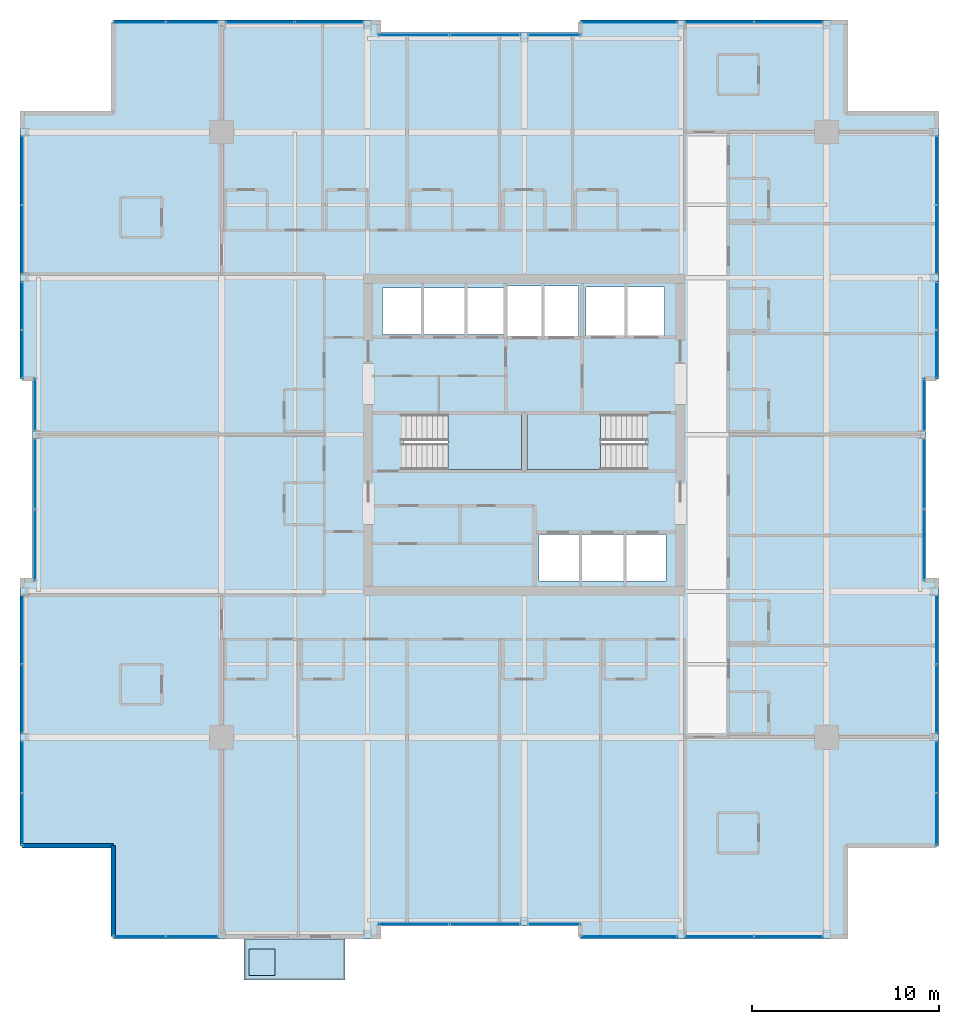
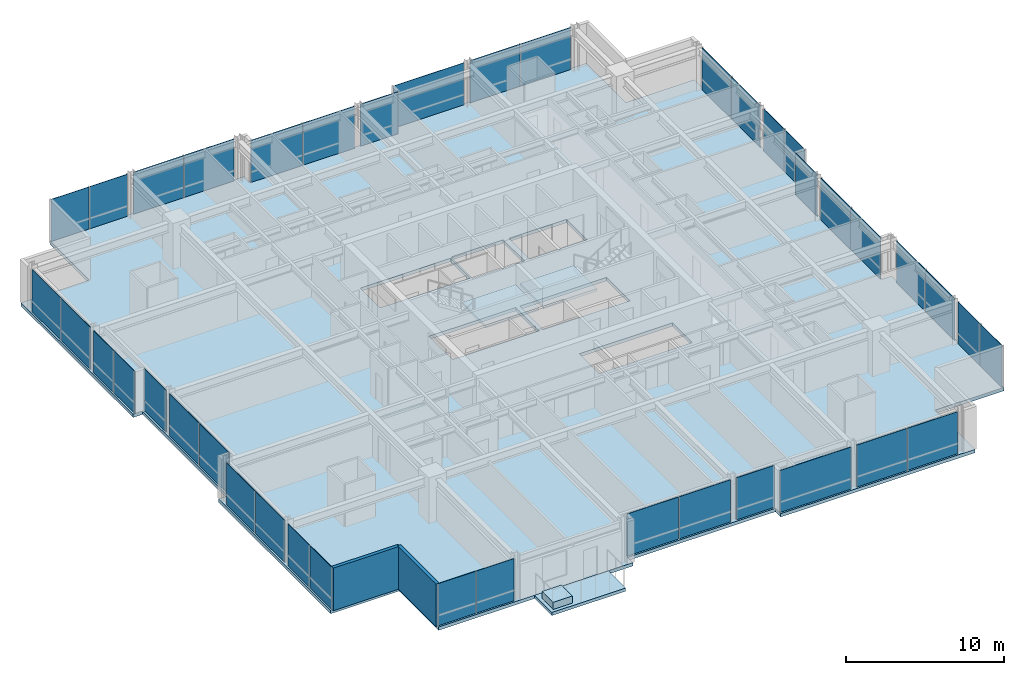
# One storey, part 25 of 32: 40 plates, 5 slabs, 2 walls, 25 elements without a shape of their own.
"""IFC4 building model written with IfcOpenShell, lengths in metres."""

import ifcopenshell
import ifcopenshell.guid

model = None  # the IFC model being written
_history = None  # IfcOwnerHistory: only IFC2X3 demands one
_inside = {}  # id of a spatial element -> (the spatial element, [elements in it])
_under = {}  # id of a project, library or spatial element -> (it, [spatial elements below it])
_declared = {}  # id of a project -> (the project, [libraries it declares])
_typed = {}  # id of a type object -> (the type object, [elements of that type])
_made_of = {}  # id of a material, layer set ... -> (it, [elements and type objects made of it])


def new_model(schema):
    """Start an empty IFC model of exactly this schema.

    Asked for "IFC4X3", IfcOpenShell would pick the latest addendum, in which some entities
    have other attributes; the version numbers below select the first issue.
    IFC2X3 requires an IfcOwnerHistory on every rooted entity: one is made here for all.
    """
    global model, _history
    if schema == "IFC4X3":
        model = ifcopenshell.file(schema_version=(4, 3, 0, 0))
    else:
        model = ifcopenshell.file(schema=schema)
    _inside.clear()
    _under.clear()
    _declared.clear()
    _typed.clear()
    _made_of.clear()
    _history = None
    if model.schema == "IFC2X3":
        org = make("IfcOrganization", Name="unknown")
        user = make(
            "IfcPersonAndOrganization",
            ThePerson=make("IfcPerson", FamilyName="unknown"),
            TheOrganization=org,
        )
        app = make(
            "IfcApplication",
            ApplicationDeveloper=org,
            Version="unknown",
            ApplicationFullName="unknown",
            ApplicationIdentifier="unknown",
        )
        _history = make(
            "IfcOwnerHistory",
            OwningUser=user,
            OwningApplication=app,
            ChangeAction="ADDED",
            CreationDate=0,
        )
    return model


def make(cls, **values):
    """One entity of the class cls with the attributes given. An attribute that is None is left unset."""
    return model.create_entity(
        cls, **{name: value for name, value in values.items() if value is not None}
    )


def rooted(cls, **values):
    """An entity with a GlobalId (a new one), such as an element, a storey or a relation."""
    return make(cls, GlobalId=ifcopenshell.guid.new(), OwnerHistory=_history, **values)


def si_unit(unit_type, name, prefix=None):
    """IfcSIUnit, for example si_unit("LENGTHUNIT", "METRE", prefix="MILLI")."""
    return make("IfcSIUnit", UnitType=unit_type, Prefix=prefix, Name=name)


def assignment(units):
    """IfcUnitAssignment: the units of a project."""
    return None if units is None else make("IfcUnitAssignment", Units=units)


def point(xyz):
    """IfcCartesianPoint."""
    return None if xyz is None else make("IfcCartesianPoint", Coordinates=xyz)


def direction(xyz):
    """IfcDirection."""
    return None if xyz is None else make("IfcDirection", DirectionRatios=xyz)


def frame(location, z_axis=None, x_axis=None):
    """IfcAxis2Placement3D, a coordinate frame: its origin and axes. An axis left out is left unset."""
    return make(
        "IfcAxis2Placement3D",
        Location=point(location),
        Axis=direction(z_axis),
        RefDirection=direction(x_axis),
    )


def frame_2d(location, x_axis=None):
    """IfcAxis2Placement2D, a coordinate frame in the plane: its origin and x axis."""
    return make(
        "IfcAxis2Placement2D", Location=point(location), RefDirection=direction(x_axis)
    )


def origin():
    """The frame at (0, 0, 0) with its axes left unset."""
    return frame((0.0, 0.0, 0.0))


def origin_2d():
    """The frame at (0, 0) in the plane with its x axis left unset."""
    return frame_2d((0.0, 0.0))


def place(relative_to, where):
    """IfcLocalPlacement: puts the frame where relative to a parent placement (None: the world)."""
    return make(
        "IfcLocalPlacement", PlacementRelTo=relative_to, RelativePlacement=where
    )


def context(
    kind, dimensions, precision=None, world=None, true_north=None, identifier=None
):
    """IfcGeometricRepresentationContext, for example the 3D "Model" context."""
    return make(
        "IfcGeometricRepresentationContext",
        ContextIdentifier=identifier,
        ContextType=kind,
        CoordinateSpaceDimension=dimensions,
        Precision=precision,
        WorldCoordinateSystem=world,
        TrueNorth=true_north,
    )


def subcontext(parent, identifier, kind, view, scale=None):
    """IfcGeometricRepresentationSubContext, for example "Body" below "Model"."""
    return make(
        "IfcGeometricRepresentationSubContext",
        ContextIdentifier=identifier,
        ContextType=kind,
        ParentContext=parent,
        TargetScale=scale,
        TargetView=view,
    )


def project(units=None, contexts=None):
    """IfcProject with its units and contexts."""
    return rooted(
        "IfcProject",
        Name="project",
        RepresentationContexts=contexts,
        UnitsInContext=assignment(units),
    )


def spatial(cls, under=None, at=None, **own):
    """A site, building, storey or space (cls), placed at a placement, below another one or the project."""
    s = rooted(cls, ObjectPlacement=at, **own)
    if under is not None:
        _under.setdefault(under.id(), (under, []))[1].append(s)
    return s


def polyline(points):
    """IfcPolyline through the points."""
    return make("IfcPolyline", Points=[point(p) for p in points])


def profile(cls, at=None, kind="AREA", **sizes):
    """A parametric profile (cls). Its sizes go by their IFC names, for example OverallWidth=200.0."""
    return make(cls, ProfileType=kind, Position=at, **sizes)


def rectangle(**sizes):
    """IfcRectangleProfileDef."""
    return profile("IfcRectangleProfileDef", **sizes)


def outline(outer, holes=None, kind="AREA"):
    """IfcArbitraryClosedProfileDef: a profile drawn as a closed curve; with holes, ...WithVoids."""
    if holes is None:
        return make("IfcArbitraryClosedProfileDef", ProfileType=kind, OuterCurve=outer)
    return make(
        "IfcArbitraryProfileDefWithVoids",
        ProfileType=kind,
        OuterCurve=outer,
        InnerCurves=holes,
    )


def extrude(swept, where, along, depth):
    """IfcExtrudedAreaSolid: the profile swept, set in the frame where, extruded along a direction by depth."""
    return make(
        "IfcExtrudedAreaSolid",
        SweptArea=swept,
        Position=where,
        ExtrudedDirection=direction(along),
        Depth=depth,
    )


def shape(context_of_items, identifier, shape_type, items):
    """IfcShapeRepresentation: the items that make up one representation, for example the "Body"."""
    return make(
        "IfcShapeRepresentation",
        ContextOfItems=context_of_items,
        RepresentationIdentifier=identifier,
        RepresentationType=shape_type,
        Items=items,
    )


def material(Name=None, Category=None):
    """IfcMaterial."""
    return make("IfcMaterial", Name=Name, Category=Category)


def layer(
    of_material, thickness, ventilated=None, Name=None, Category=None, Priority=None
):
    """IfcMaterialLayer: one layer of a wall or slab, of a material (None: an air gap)."""
    return make(
        "IfcMaterialLayer",
        Material=of_material,
        LayerThickness=thickness,
        IsVentilated=ventilated,
        Name=Name,
        Category=Category,
        Priority=Priority,
    )


def layer_set(layers, Name=None):
    """IfcMaterialLayerSet."""
    return make("IfcMaterialLayerSet", MaterialLayers=layers, LayerSetName=Name)


def made_of(thing, what):
    """Note that an element or type object is made of a material, layer set ...; save() writes the relation."""
    if what is not None:
        _made_of.setdefault(what.id(), (what, []))[1].append(thing)
    return thing


def type_object(cls, material=None, **own):
    """A type object (cls), such as IfcWallType, which elements share."""
    return made_of(rooted(cls, **own), material)


def element(
    cls,
    number,
    at=None,
    inside=None,
    cuts=None,
    type_object=None,
    material=None,
    context=None,
    identifier="Body",
    shape_type=None,
    held_by="IfcProductDefinitionShape",
    body=None,
    shapes=None,
    **own,
):
    """One element of the class cls, such as IfcWall. Its Tag is "e" and its number.

    at: its placement. inside: the storey or other place that contains it. cuts: it is an
    opening in that element (IfcRelVoidsElement). A single representation is given by context,
    identifier, shape_type and body (its items); several are given by shapes. held_by: the class
    of the entity that holds the representations. save() writes the other relations.
    """
    e = rooted(cls, Tag="e%d" % number, ObjectPlacement=at, **own)
    if body is not None:
        shapes = [shape(context, identifier, shape_type, body)]
    if shapes is not None:
        e.Representation = make(held_by, Representations=shapes)
    if inside is not None:
        _inside.setdefault(inside.id(), (inside, []))[1].append(e)
    if cuts is not None:
        rooted(
            "IfcRelVoidsElement", RelatingBuildingElement=cuts, RelatedOpeningElement=e
        )
    if type_object is not None:
        _typed.setdefault(type_object.id(), (type_object, []))[1].append(e)
    return made_of(e, material)


def aggregate(whole, parts):
    """IfcRelAggregates: a whole, such as a stair, and the parts it consists of."""
    return rooted("IfcRelAggregates", RelatingObject=whole, RelatedObjects=parts)


def save(model, path):
    """Write the relations noted so far, then the file.

    IfcRelAggregates (storeys below a building ...), IfcRelContainedInSpatialStructure (elements
    in a storey), IfcRelDefinesByType, IfcRelAssociatesMaterial and IfcRelDeclares: one each for
    every whole, place, type object, material and project.
    """
    for whole, parts in _under.values():
        aggregate(whole, parts)
    for where, things in _inside.values():
        rooted(
            "IfcRelContainedInSpatialStructure",
            RelatedElements=things,
            RelatingStructure=where,
        )
    for kind, things in _typed.values():
        rooted("IfcRelDefinesByType", RelatedObjects=things, RelatingType=kind)
    for what, things in _made_of.values():
        rooted("IfcRelAssociatesMaterial", RelatedObjects=things, RelatingMaterial=what)
    for by, libraries in _declared.values():
        rooted("IfcRelDeclares", RelatingContext=by, RelatedDefinitions=libraries)
    model.write(path)


model = new_model("IFC4")

# Units and contexts
model_context = context("Model", 3, precision=1e-05, world=origin(), true_north=direction((0.0, 1.0)))
body_context = subcontext(model_context, "Body", "Model", "MODEL_VIEW")
ifc_project = project(units=[si_unit("LENGTHUNIT", "METRE"), si_unit("AREAUNIT", "SQUARE_METRE"), si_unit("VOLUMEUNIT", "CUBIC_METRE"), si_unit("PLANEANGLEUNIT", "RADIAN"), si_unit("MASSUNIT", "GRAM", prefix="KILO")], contexts=[model_context])

# Site, building, storey
site_placement = place(None, origin())
site = spatial("IfcSite", under=ifc_project, at=site_placement, CompositionType="ELEMENT")
building_placement = place(site_placement, origin())
building = spatial("IfcBuilding", under=site, at=building_placement, Name="Drelvath Grand Hotel", CompositionType="ELEMENT")
storey_placement = place(building_placement, frame((0.0, 0.0, 157.5)))
storey = spatial("IfcBuildingStorey", under=building, at=storey_placement, Name="L40", CompositionType="ELEMENT", Elevation=157.5)

# Slabs
ifc_material_1 = material(Name="Concrete f'c 40 MPa", Category="concrete")
ifc_layer_1 = layer(ifc_material_1, 0.239990234375)
ifc_layer_set_1 = layer_set([ifc_layer_1], Name="Concrete f'c 40 MPa")
slab_type_1 = type_object("IfcSlabType", Name="Cantilevered Tree Balcony Slab 240", PredefinedType="FLOOR", material=ifc_layer_set_1)
slab_1_placement = place(storey_placement, frame((0.0, 0.0, -0.239990234375)))
element("IfcSlab", 1, at=slab_1_placement, inside=storey, type_object=slab_type_1, Name="L40 Cantilevered Tree Balcony Slab 1", PredefinedType="FLOOR", context=body_context, shape_type="SweptSolid", body=[
    extrude(outline(polyline([(-15.0, -2.199951171875), (-9.60009765625, -2.199951171875), (-9.60009765625, 0.0), (-15.0, 0.0), (-15.0, -2.199951171875)])), origin(), (0.0, 0.0, 1.0), 0.239990234375),
])
ifc_layer_2 = layer(ifc_material_1, 0.260009765625)
ifc_layer_set_2 = layer_set([ifc_layer_2], Name="Concrete f'c 40 MPa")
slab_type_2 = type_object("IfcSlabType", Name="Composite RC Floor Slab 260", PredefinedType="FLOOR", material=ifc_layer_set_2)
slab_2_placement = place(storey_placement, frame((0.0, 0.0, -0.260009765625)))
element("IfcSlab", 2, at=slab_2_placement, inside=storey, type_object=slab_type_2, Name="L40 Structural Floor Slab", PredefinedType="FLOOR", context=body_context, shape_type="SweptSolid", body=[
    extrude(outline(polyline([(-22.0, 0.0), (-7.800048828125, 0.0), (-7.800048828125, 0.679931640625), (3.0, 0.679931640625), (3.0, 0.0), (17.199951171875, 0.0), (17.199951171875, 5.0), (22.199951171875, 5.0), (22.199951171875, 19.199951171875), (21.52001953125, 19.199951171875), (21.52001953125, 30.0), (22.199951171875, 30.0), (22.199951171875, 44.199951171875), (17.199951171875, 44.199951171875), (17.199951171875, 49.199951171875), (3.0, 49.199951171875), (3.0, 48.52001953125), (-7.800048828125, 48.52001953125), (-7.800048828125, 49.199951171875), (-22.0, 49.199951171875), (-22.0, 44.199951171875), (-27.0, 44.199951171875), (-27.0, 30.0), (-26.320068359375, 30.0), (-26.320068359375, 19.199951171875), (-27.0, 19.199951171875), (-27.0, 5.0), (-22.0, 5.0), (-22.0, 0.0)]), holes=[polyline([(-6.47998046875, 25.1201171875), (-6.47998046875, 28.080078125), (-0.14990234375, 28.080078125), (-0.14990234375, 25.1201171875), (-6.47998046875, 25.1201171875)]), polyline([(0.14990234375, 25.1201171875), (0.14990234375, 28.080078125), (6.47998046875, 28.080078125), (6.47998046875, 25.1201171875), (0.14990234375, 25.1201171875)]), polyline([(0.800048828125, 19.14990234375), (0.800048828125, 21.64990234375), (7.60009765625, 21.64990234375), (7.60009765625, 19.14990234375), (0.800048828125, 19.14990234375)]), polyline([(-7.60009765625, 32.35009765625), (-7.60009765625, 34.85009765625), (-1.02001953125, 34.85009765625), (-1.02001953125, 32.35009765625), (-7.60009765625, 32.35009765625)]), polyline([(-0.89990234375, 32.25), (-0.89990234375, 34.949951171875), (2.89990234375, 34.949951171875), (2.89990234375, 32.25), (-0.89990234375, 32.25)]), polyline([(3.300048828125, 32.300048828125), (3.300048828125, 34.89990234375), (7.5, 34.89990234375), (7.5, 32.300048828125), (3.300048828125, 32.300048828125)])]), origin(), (0.0, 0.0, 1.0), 0.260009765625),
])

# Stair, slab
ifc_material_2 = material(Name="Concrete C40/50", Category="concrete")
stair_type = type_object("IfcStairType", Name="Dogleg Exit Stair W1400-R177.5", PredefinedType="HALF_TURN_STAIR", material=ifc_material_2)
stair_1_placement = place(storey_placement, origin())
stair_1 = element("IfcStair", 3, at=stair_1_placement, inside=storey, type_object=stair_type, Name="L40 Core Exit Stair ST-1", PredefinedType="HALF_TURN_STAIR")
ifc_layer_3 = layer(ifc_material_2, 0.199951171875)
ifc_layer_set_3 = layer_set([ifc_layer_3], Name="Concrete C40/50")
slab_type_3 = type_object("IfcSlabType", Name="Concrete Stair Landing Slab 200", PredefinedType="LANDING", material=ifc_layer_set_3)
slab_3_placement = place(storey_placement, frame((0.0, 0.0, 1.574951171875)))
slab_3 = element("IfcSlab", 4, at=slab_3_placement, type_object=slab_type_3, Name="ST-1 landing 1", PredefinedType="LANDING", context=body_context, shape_type="SweptSolid", body=[
    extrude(outline(polyline([(-4.080078125, 25.1201171875), (-0.14990234375, 25.1201171875), (-0.14990234375, 28.080078125), (-4.080078125, 28.080078125), (-4.080078125, 25.1201171875)])), origin(), (0.0, 0.0, 1.0), 0.199951171875),
])
aggregate(stair_1, [slab_3])

stair_2_placement = place(storey_placement, origin())
stair_2 = element("IfcStair", 5, at=stair_2_placement, inside=storey, type_object=stair_type, Name="L40 Core Exit Stair ST-2", PredefinedType="HALF_TURN_STAIR")
slab_4_placement = place(storey_placement, frame((0.0, 0.0, 1.574951171875)))
slab_4 = element("IfcSlab", 6, at=slab_4_placement, type_object=slab_type_3, Name="ST-2 landing 1", PredefinedType="LANDING", context=body_context, shape_type="SweptSolid", body=[
    extrude(outline(polyline([(4.080078125, 28.080078125), (0.14990234375, 28.080078125), (0.14990234375, 25.1201171875), (4.080078125, 25.1201171875), (4.080078125, 28.080078125)])), origin(), (0.0, 0.0, 1.0), 0.199951171875),
])
aggregate(stair_2, [slab_4])

# Curtain wall, plates
ifc_material_3 = material(Name="Brushed Pale-Silver Anodised Aluminium Frame", Category="aluminium")
ifc_layer_4 = layer(ifc_material_3, 0.199951171875)
ifc_layer_set_4 = layer_set([ifc_layer_4], Name="Brushed Pale-Silver Anodised Aluminium Frame")
curtain_wall_type = type_object("IfcCurtainWallType", Name="Stick Curtain Wall CW-04 Brushed Silver Upper-Mid", PredefinedType="NOTDEFINED", material=ifc_layer_set_4)
curtain_wall_1_placement = place(storey_placement, origin())
curtain_wall_1 = element("IfcCurtainWall", 7, at=curtain_wall_1_placement, inside=storey, type_object=curtain_wall_type, Name="L40 CW-04 Curtain Wall CW04-L40-WS1", PredefinedType="NOTDEFINED")
ifc_material_4 = material(Name="Low-E Triple Silver Vision Glass Cool", Category="glass")
ifc_layer_5 = layer(ifc_material_4, 0.035888671875)
ifc_layer_set_5 = layer_set([ifc_layer_5], Name="Low-E Triple Silver Vision Glass Cool")
plate_type = type_object("IfcPlateType", Name="Curtain Wall Vision Panel CW-04 36mm", PredefinedType="CURTAIN_PANEL", material=ifc_layer_set_5)
plate_1_placement = place(storey_placement, frame((-26.8798828125, 6.39990234375, 0.02001953125), z_axis=(0.0, 0.0, 1.0), x_axis=(0.0, 1.0, 0.0)))
plate_1 = element("IfcPlate", 8, at=plate_1_placement, type_object=plate_type, Name="CW04-L40-WS1 Glazed Panel 1", PredefinedType="CURTAIN_PANEL", context=body_context, shape_type="SweptSolid", body=[
    extrude(rectangle(XDim=2.760009765625, YDim=0.035888671875, at=origin_2d()), origin(), (0.0, 0.0, 1.0), 3.25),
])
plate_2_placement = place(storey_placement, frame((-26.8798828125, 9.199951171875, 0.02001953125), z_axis=(0.0, 0.0, 1.0), x_axis=(0.0, 1.0, 0.0)))
plate_2 = element("IfcPlate", 9, at=plate_2_placement, type_object=plate_type, Name="CW04-L40-WS1 Glazed Panel 2", PredefinedType="CURTAIN_PANEL", context=body_context, shape_type="SweptSolid", body=[
    extrude(rectangle(XDim=2.760009765625, YDim=0.035888671875, at=origin_2d()), origin(), (0.0, 0.0, 1.0), 3.25),
])
aggregate(curtain_wall_1, [plate_1, plate_2])

curtain_wall_2_placement = place(storey_placement, origin())
curtain_wall_2 = element("IfcCurtainWall", 10, at=curtain_wall_2_placement, inside=storey, type_object=curtain_wall_type, Name="L40 CW-04 Curtain Wall CW04-L40-WS2", PredefinedType="NOTDEFINED")
plate_3_placement = place(storey_placement, frame((-26.8798828125, 12.85009765625, 0.02001953125), z_axis=(0.0, 0.0, 1.0), x_axis=(0.0, 1.0, 0.0)))
plate_3 = element("IfcPlate", 11, at=plate_3_placement, type_object=plate_type, Name="CW04-L40-WS2 Glazed Panel 1", PredefinedType="CURTAIN_PANEL", context=body_context, shape_type="SweptSolid", body=[
    extrude(rectangle(XDim=3.659912109375, YDim=0.035888671875, at=origin_2d()), origin(), (0.0, 0.0, 1.0), 3.25),
])
plate_4_placement = place(storey_placement, frame((-26.8798828125, 16.550048828125, 0.02001953125), z_axis=(0.0, 0.0, 1.0), x_axis=(0.0, 1.0, 0.0)))
plate_4 = element("IfcPlate", 12, at=plate_4_placement, type_object=plate_type, Name="CW04-L40-WS2 Glazed Panel 2", PredefinedType="CURTAIN_PANEL", context=body_context, shape_type="SweptSolid", body=[
    extrude(rectangle(XDim=3.659912109375, YDim=0.035888671875, at=origin_2d()), origin(), (0.0, 0.0, 1.0), 3.25),
])
aggregate(curtain_wall_2, [plate_3, plate_4])

curtain_wall_3_placement = place(storey_placement, origin())
curtain_wall_3 = element("IfcCurtainWall", 13, at=curtain_wall_3_placement, inside=storey, type_object=curtain_wall_type, Name="L40 CW-04 Curtain Wall CW04-L40-WM1", PredefinedType="NOTDEFINED")
plate_5_placement = place(storey_placement, frame((-26.199951171875, 21.099853515625, 0.02001953125), z_axis=(0.0, 0.0, 1.0), x_axis=(0.0, 1.0, 0.0)))
plate_5 = element("IfcPlate", 14, at=plate_5_placement, type_object=plate_type, Name="CW04-L40-WM1 Glazed Panel 1", PredefinedType="CURTAIN_PANEL", context=body_context, shape_type="SweptSolid", body=[
    extrude(rectangle(XDim=3.760009765625, YDim=0.035888671875, at=origin_2d()), origin(), (0.0, 0.0, 1.0), 3.25),
])
plate_6_placement = place(storey_placement, frame((-26.199951171875, 24.89990234375, 0.02001953125), z_axis=(0.0, 0.0, 1.0), x_axis=(0.0, 1.0, 0.0)))
plate_6 = element("IfcPlate", 15, at=plate_6_placement, type_object=plate_type, Name="CW04-L40-WM1 Glazed Panel 2", PredefinedType="CURTAIN_PANEL", context=body_context, shape_type="SweptSolid", body=[
    extrude(rectangle(XDim=3.760009765625, YDim=0.035888671875, at=origin_2d()), origin(), (0.0, 0.0, 1.0), 3.25),
])
aggregate(curtain_wall_3, [plate_5, plate_6])

# Curtain wall, plate
curtain_wall_4_placement = place(storey_placement, origin())
curtain_wall_4 = element("IfcCurtainWall", 16, at=curtain_wall_4_placement, inside=storey, type_object=curtain_wall_type, Name="L40 CW-04 Curtain Wall CW04-L40-WM2", PredefinedType="NOTDEFINED")
plate_7_placement = place(storey_placement, frame((-26.199951171875, 28.60009765625, 0.02001953125), z_axis=(0.0, 0.0, 1.0), x_axis=(0.0, 1.0, 0.0)))
plate_7 = element("IfcPlate", 17, at=plate_7_placement, type_object=plate_type, Name="CW04-L40-WM2 Glazed Panel 1", PredefinedType="CURTAIN_PANEL", context=body_context, shape_type="SweptSolid", body=[
    extrude(rectangle(XDim=2.760009765625, YDim=0.035888671875, at=origin_2d()), origin(), (0.0, 0.0, 1.0), 3.25),
])
aggregate(curtain_wall_4, [plate_7])

# Curtain wall, plates
curtain_wall_5_placement = place(storey_placement, origin())
curtain_wall_5 = element("IfcCurtainWall", 18, at=curtain_wall_5_placement, inside=storey, type_object=curtain_wall_type, Name="L40 CW-04 Curtain Wall CW04-L40-WN1", PredefinedType="NOTDEFINED")
plate_8_placement = place(storey_placement, frame((-26.8798828125, 31.300048828125, 0.02001953125), z_axis=(0.0, 0.0, 1.0), x_axis=(0.0, 1.0, 0.0)))
plate_8 = element("IfcPlate", 19, at=plate_8_placement, type_object=plate_type, Name="CW04-L40-WN1 Glazed Panel 1", PredefinedType="CURTAIN_PANEL", context=body_context, shape_type="SweptSolid", body=[
    extrude(rectangle(XDim=2.56005859375, YDim=0.035888671875, at=origin_2d()), origin(), (0.0, 0.0, 1.0), 3.25),
])
plate_9_placement = place(storey_placement, frame((-26.8798828125, 33.89990234375, 0.02001953125), z_axis=(0.0, 0.0, 1.0), x_axis=(0.0, 1.0, 0.0)))
plate_9 = element("IfcPlate", 20, at=plate_9_placement, type_object=plate_type, Name="CW04-L40-WN1 Glazed Panel 2", PredefinedType="CURTAIN_PANEL", context=body_context, shape_type="SweptSolid", body=[
    extrude(rectangle(XDim=2.56005859375, YDim=0.035888671875, at=origin_2d()), origin(), (0.0, 0.0, 1.0), 3.25),
])
aggregate(curtain_wall_5, [plate_8, plate_9])

curtain_wall_6_placement = place(storey_placement, origin())
curtain_wall_6 = element("IfcCurtainWall", 21, at=curtain_wall_6_placement, inside=storey, type_object=curtain_wall_type, Name="L40 CW-04 Curtain Wall CW04-L40-WN2", PredefinedType="NOTDEFINED")
plate_10_placement = place(storey_placement, frame((-26.8798828125, 37.449951171875, 0.02001953125), z_axis=(0.0, 0.0, 1.0), x_axis=(0.0, 1.0, 0.0)))
plate_10 = element("IfcPlate", 22, at=plate_10_placement, type_object=plate_type, Name="CW04-L40-WN2 Glazed Panel 1", PredefinedType="CURTAIN_PANEL", context=body_context, shape_type="SweptSolid", body=[
    extrude(rectangle(XDim=3.659912109375, YDim=0.035888671875, at=origin_2d()), origin(), (0.0, 0.0, 1.0), 3.25),
])
plate_11_placement = place(storey_placement, frame((-26.8798828125, 41.14990234375, 0.02001953125), z_axis=(0.0, 0.0, 1.0), x_axis=(0.0, 1.0, 0.0)))
plate_11 = element("IfcPlate", 23, at=plate_11_placement, type_object=plate_type, Name="CW04-L40-WN2 Glazed Panel 2", PredefinedType="CURTAIN_PANEL", context=body_context, shape_type="SweptSolid", body=[
    extrude(rectangle(XDim=3.659912109375, YDim=0.035888671875, at=origin_2d()), origin(), (0.0, 0.0, 1.0), 3.25),
])
aggregate(curtain_wall_6, [plate_10, plate_11])

curtain_wall_7_placement = place(storey_placement, origin())
curtain_wall_7 = element("IfcCurtainWall", 24, at=curtain_wall_7_placement, inside=storey, type_object=curtain_wall_type, Name="L40 CW-04 Curtain Wall CW04-L40-EN1", PredefinedType="NOTDEFINED")
plate_12_placement = place(storey_placement, frame((22.080078125, 33.89990234375, 0.02001953125), z_axis=(0.0, 0.0, 1.0), x_axis=(0.0, -1.0, 0.0)))
plate_12 = element("IfcPlate", 25, at=plate_12_placement, type_object=plate_type, Name="CW04-L40-EN1 Glazed Panel 1", PredefinedType="CURTAIN_PANEL", context=body_context, shape_type="SweptSolid", body=[
    extrude(rectangle(XDim=2.56005859375, YDim=0.035888671875, at=origin_2d()), origin(), (0.0, 0.0, 1.0), 3.25),
])
plate_13_placement = place(storey_placement, frame((22.080078125, 31.300048828125, 0.02001953125), z_axis=(0.0, 0.0, 1.0), x_axis=(0.0, -1.0, 0.0)))
plate_13 = element("IfcPlate", 26, at=plate_13_placement, type_object=plate_type, Name="CW04-L40-EN1 Glazed Panel 2", PredefinedType="CURTAIN_PANEL", context=body_context, shape_type="SweptSolid", body=[
    extrude(rectangle(XDim=2.56005859375, YDim=0.035888671875, at=origin_2d()), origin(), (0.0, 0.0, 1.0), 3.25),
])
aggregate(curtain_wall_7, [plate_12, plate_13])

curtain_wall_8_placement = place(storey_placement, origin())
curtain_wall_8 = element("IfcCurtainWall", 27, at=curtain_wall_8_placement, inside=storey, type_object=curtain_wall_type, Name="L40 CW-04 Curtain Wall CW04-L40-EN2", PredefinedType="NOTDEFINED")
plate_14_placement = place(storey_placement, frame((22.080078125, 41.14990234375, 0.02001953125), z_axis=(0.0, 0.0, 1.0), x_axis=(0.0, -1.0, 0.0)))
plate_14 = element("IfcPlate", 28, at=plate_14_placement, type_object=plate_type, Name="CW04-L40-EN2 Glazed Panel 1", PredefinedType="CURTAIN_PANEL", context=body_context, shape_type="SweptSolid", body=[
    extrude(rectangle(XDim=3.659912109375, YDim=0.035888671875, at=origin_2d()), origin(), (0.0, 0.0, 1.0), 3.25),
])
plate_15_placement = place(storey_placement, frame((22.080078125, 37.449951171875, 0.02001953125), z_axis=(0.0, 0.0, 1.0), x_axis=(0.0, -1.0, 0.0)))
plate_15 = element("IfcPlate", 29, at=plate_15_placement, type_object=plate_type, Name="CW04-L40-EN2 Glazed Panel 2", PredefinedType="CURTAIN_PANEL", context=body_context, shape_type="SweptSolid", body=[
    extrude(rectangle(XDim=3.659912109375, YDim=0.035888671875, at=origin_2d()), origin(), (0.0, 0.0, 1.0), 3.25),
])
aggregate(curtain_wall_8, [plate_14, plate_15])

curtain_wall_9_placement = place(storey_placement, origin())
curtain_wall_9 = element("IfcCurtainWall", 30, at=curtain_wall_9_placement, inside=storey, type_object=curtain_wall_type, Name="L40 CW-04 Curtain Wall CW04-L40-EM1", PredefinedType="NOTDEFINED")
plate_16_placement = place(storey_placement, frame((21.39990234375, 24.89990234375, 0.02001953125), z_axis=(0.0, 0.0, 1.0), x_axis=(0.0, -1.0, 0.0)))
plate_16 = element("IfcPlate", 31, at=plate_16_placement, type_object=plate_type, Name="CW04-L40-EM1 Glazed Panel 1", PredefinedType="CURTAIN_PANEL", context=body_context, shape_type="SweptSolid", body=[
    extrude(rectangle(XDim=3.760009765625, YDim=0.035888671875, at=origin_2d()), origin(), (0.0, 0.0, 1.0), 3.25),
])
plate_17_placement = place(storey_placement, frame((21.39990234375, 21.099853515625, 0.02001953125), z_axis=(0.0, 0.0, 1.0), x_axis=(0.0, -1.0, 0.0)))
plate_17 = element("IfcPlate", 32, at=plate_17_placement, type_object=plate_type, Name="CW04-L40-EM1 Glazed Panel 2", PredefinedType="CURTAIN_PANEL", context=body_context, shape_type="SweptSolid", body=[
    extrude(rectangle(XDim=3.760009765625, YDim=0.035888671875, at=origin_2d()), origin(), (0.0, 0.0, 1.0), 3.25),
])
aggregate(curtain_wall_9, [plate_16, plate_17])

# Curtain wall, plate
curtain_wall_10_placement = place(storey_placement, origin())
curtain_wall_10 = element("IfcCurtainWall", 33, at=curtain_wall_10_placement, inside=storey, type_object=curtain_wall_type, Name="L40 CW-04 Curtain Wall CW04-L40-EM2", PredefinedType="NOTDEFINED")
plate_18_placement = place(storey_placement, frame((21.39990234375, 28.60009765625, 0.02001953125), z_axis=(0.0, 0.0, 1.0), x_axis=(0.0, -1.0, 0.0)))
plate_18 = element("IfcPlate", 34, at=plate_18_placement, type_object=plate_type, Name="CW04-L40-EM2 Glazed Panel 1", PredefinedType="CURTAIN_PANEL", context=body_context, shape_type="SweptSolid", body=[
    extrude(rectangle(XDim=2.760009765625, YDim=0.035888671875, at=origin_2d()), origin(), (0.0, 0.0, 1.0), 3.25),
])
aggregate(curtain_wall_10, [plate_18])

# Curtain wall, plates
curtain_wall_11_placement = place(storey_placement, origin())
curtain_wall_11 = element("IfcCurtainWall", 35, at=curtain_wall_11_placement, inside=storey, type_object=curtain_wall_type, Name="L40 CW-04 Curtain Wall CW04-L40-ES1", PredefinedType="NOTDEFINED")
plate_19_placement = place(storey_placement, frame((22.080078125, 9.199951171875, 0.02001953125), z_axis=(0.0, 0.0, 1.0), x_axis=(0.0, -1.0, 0.0)))
plate_19 = element("IfcPlate", 36, at=plate_19_placement, type_object=plate_type, Name="CW04-L40-ES1 Glazed Panel 1", PredefinedType="CURTAIN_PANEL", context=body_context, shape_type="SweptSolid", body=[
    extrude(rectangle(XDim=2.760009765625, YDim=0.035888671875, at=origin_2d()), origin(), (0.0, 0.0, 1.0), 3.25),
])
plate_20_placement = place(storey_placement, frame((22.080078125, 6.39990234375, 0.02001953125), z_axis=(0.0, 0.0, 1.0), x_axis=(0.0, -1.0, 0.0)))
plate_20 = element("IfcPlate", 37, at=plate_20_placement, type_object=plate_type, Name="CW04-L40-ES1 Glazed Panel 2", PredefinedType="CURTAIN_PANEL", context=body_context, shape_type="SweptSolid", body=[
    extrude(rectangle(XDim=2.760009765625, YDim=0.035888671875, at=origin_2d()), origin(), (0.0, 0.0, 1.0), 3.25),
])
aggregate(curtain_wall_11, [plate_19, plate_20])

curtain_wall_12_placement = place(storey_placement, origin())
curtain_wall_12 = element("IfcCurtainWall", 38, at=curtain_wall_12_placement, inside=storey, type_object=curtain_wall_type, Name="L40 CW-04 Curtain Wall CW04-L40-ES2", PredefinedType="NOTDEFINED")
plate_21_placement = place(storey_placement, frame((22.080078125, 16.550048828125, 0.02001953125), z_axis=(0.0, 0.0, 1.0), x_axis=(0.0, -1.0, 0.0)))
plate_21 = element("IfcPlate", 39, at=plate_21_placement, type_object=plate_type, Name="CW04-L40-ES2 Glazed Panel 1", PredefinedType="CURTAIN_PANEL", context=body_context, shape_type="SweptSolid", body=[
    extrude(rectangle(XDim=3.659912109375, YDim=0.035888671875, at=origin_2d()), origin(), (0.0, 0.0, 1.0), 3.25),
])
plate_22_placement = place(storey_placement, frame((22.080078125, 12.85009765625, 0.02001953125), z_axis=(0.0, 0.0, 1.0), x_axis=(0.0, -1.0, 0.0)))
plate_22 = element("IfcPlate", 40, at=plate_22_placement, type_object=plate_type, Name="CW04-L40-ES2 Glazed Panel 2", PredefinedType="CURTAIN_PANEL", context=body_context, shape_type="SweptSolid", body=[
    extrude(rectangle(XDim=3.659912109375, YDim=0.035888671875, at=origin_2d()), origin(), (0.0, 0.0, 1.0), 3.25),
])
aggregate(curtain_wall_12, [plate_21, plate_22])

curtain_wall_13_placement = place(storey_placement, origin())
curtain_wall_13 = element("IfcCurtainWall", 41, at=curtain_wall_13_placement, inside=storey, type_object=curtain_wall_type, Name="L40 CW-04 Curtain Wall CW04-L40-NW1", PredefinedType="NOTDEFINED")
plate_23_placement = place(storey_placement, frame((-20.60009765625, 49.080078125, 0.02001953125), z_axis=(0.0, 0.0, 1.0), x_axis=(1.0, 0.0, 0.0)))
plate_23 = element("IfcPlate", 42, at=plate_23_placement, type_object=plate_type, Name="CW04-L40-NW1 Glazed Panel 1", PredefinedType="CURTAIN_PANEL", context=body_context, shape_type="SweptSolid", body=[
    extrude(rectangle(XDim=2.760009765625, YDim=0.035888671875, at=origin_2d()), origin(), (0.0, 0.0, 1.0), 3.25),
])
plate_24_placement = place(storey_placement, frame((-17.800048828125, 49.080078125, 0.02001953125), z_axis=(0.0, 0.0, 1.0), x_axis=(1.0, 0.0, 0.0)))
plate_24 = element("IfcPlate", 43, at=plate_24_placement, type_object=plate_type, Name="CW04-L40-NW1 Glazed Panel 2", PredefinedType="CURTAIN_PANEL", context=body_context, shape_type="SweptSolid", body=[
    extrude(rectangle(XDim=2.760009765625, YDim=0.035888671875, at=origin_2d()), origin(), (0.0, 0.0, 1.0), 3.25),
])
aggregate(curtain_wall_13, [plate_23, plate_24])

curtain_wall_14_placement = place(storey_placement, origin())
curtain_wall_14 = element("IfcCurtainWall", 44, at=curtain_wall_14_placement, inside=storey, type_object=curtain_wall_type, Name="L40 CW-04 Curtain Wall CW04-L40-NW2", PredefinedType="NOTDEFINED")
plate_25_placement = place(storey_placement, frame((-14.14990234375, 49.080078125, 0.02001953125), z_axis=(0.0, 0.0, 1.0), x_axis=(1.0, 0.0, 0.0)))
plate_25 = element("IfcPlate", 45, at=plate_25_placement, type_object=plate_type, Name="CW04-L40-NW2 Glazed Panel 1", PredefinedType="CURTAIN_PANEL", context=body_context, shape_type="SweptSolid", body=[
    extrude(rectangle(XDim=3.659912109375, YDim=0.035888671875, at=origin_2d()), origin(), (0.0, 0.0, 1.0), 3.25),
])
plate_26_placement = place(storey_placement, frame((-10.4501953125, 49.080078125, 0.02001953125), z_axis=(0.0, 0.0, 1.0), x_axis=(1.0, 0.0, 0.0)))
plate_26 = element("IfcPlate", 46, at=plate_26_placement, type_object=plate_type, Name="CW04-L40-NW2 Glazed Panel 2", PredefinedType="CURTAIN_PANEL", context=body_context, shape_type="SweptSolid", body=[
    extrude(rectangle(XDim=3.659912109375, YDim=0.035888671875, at=origin_2d()), origin(), (0.0, 0.0, 1.0), 3.25),
])
aggregate(curtain_wall_14, [plate_25, plate_26])

curtain_wall_15_placement = place(storey_placement, origin())
curtain_wall_15 = element("IfcCurtainWall", 47, at=curtain_wall_15_placement, inside=storey, type_object=curtain_wall_type, Name="L40 CW-04 Curtain Wall CW04-L40-NM1", PredefinedType="NOTDEFINED")
plate_27_placement = place(storey_placement, frame((-5.89990234375, 48.39990234375, 0.02001953125), z_axis=(0.0, 0.0, 1.0), x_axis=(1.0, 0.0, 0.0)))
plate_27 = element("IfcPlate", 48, at=plate_27_placement, type_object=plate_type, Name="CW04-L40-NM1 Glazed Panel 1", PredefinedType="CURTAIN_PANEL", context=body_context, shape_type="SweptSolid", body=[
    extrude(rectangle(XDim=3.760009765625, YDim=0.035888671875, at=origin_2d()), origin(), (0.0, 0.0, 1.0), 3.25),
])
plate_28_placement = place(storey_placement, frame((-2.10009765625, 48.39990234375, 0.02001953125), z_axis=(0.0, 0.0, 1.0), x_axis=(1.0, 0.0, 0.0)))
plate_28 = element("IfcPlate", 49, at=plate_28_placement, type_object=plate_type, Name="CW04-L40-NM1 Glazed Panel 2", PredefinedType="CURTAIN_PANEL", context=body_context, shape_type="SweptSolid", body=[
    extrude(rectangle(XDim=3.760009765625, YDim=0.035888671875, at=origin_2d()), origin(), (0.0, 0.0, 1.0), 3.25),
])
aggregate(curtain_wall_15, [plate_27, plate_28])

# Curtain wall, plate
curtain_wall_16_placement = place(storey_placement, origin())
curtain_wall_16 = element("IfcCurtainWall", 50, at=curtain_wall_16_placement, inside=storey, type_object=curtain_wall_type, Name="L40 CW-04 Curtain Wall CW04-L40-NM2", PredefinedType="NOTDEFINED")
plate_29_placement = place(storey_placement, frame((1.60009765625, 48.39990234375, 0.02001953125), z_axis=(0.0, 0.0, 1.0), x_axis=(1.0, 0.0, 0.0)))
plate_29 = element("IfcPlate", 51, at=plate_29_placement, type_object=plate_type, Name="CW04-L40-NM2 Glazed Panel 1", PredefinedType="CURTAIN_PANEL", context=body_context, shape_type="SweptSolid", body=[
    extrude(rectangle(XDim=2.760009765625, YDim=0.035888671875, at=origin_2d()), origin(), (0.0, 0.0, 1.0), 3.25),
])
aggregate(curtain_wall_16, [plate_29])

curtain_wall_17_placement = place(storey_placement, origin())
curtain_wall_17 = element("IfcCurtainWall", 52, at=curtain_wall_17_placement, inside=storey, type_object=curtain_wall_type, Name="L40 CW-04 Curtain Wall CW04-L40-NE1", PredefinedType="NOTDEFINED")
plate_30_placement = place(storey_placement, frame((5.599853515625, 49.080078125, 0.02001953125), z_axis=(0.0, 0.0, 1.0), x_axis=(1.0, 0.0, 0.0)))
plate_30 = element("IfcPlate", 53, at=plate_30_placement, type_object=plate_type, Name="CW04-L40-NE1 Glazed Panel 1", PredefinedType="CURTAIN_PANEL", context=body_context, shape_type="SweptSolid", body=[
    extrude(rectangle(XDim=5.159912109375, YDim=0.035888671875, at=origin_2d()), origin(), (0.0, 0.0, 1.0), 3.25),
])
aggregate(curtain_wall_17, [plate_30])

# Curtain wall, plates
curtain_wall_18_placement = place(storey_placement, origin())
curtain_wall_18 = element("IfcCurtainWall", 54, at=curtain_wall_18_placement, inside=storey, type_object=curtain_wall_type, Name="L40 CW-04 Curtain Wall CW04-L40-NE2", PredefinedType="NOTDEFINED")
plate_31_placement = place(storey_placement, frame((10.4501953125, 49.080078125, 0.02001953125), z_axis=(0.0, 0.0, 1.0), x_axis=(1.0, 0.0, 0.0)))
plate_31 = element("IfcPlate", 55, at=plate_31_placement, type_object=plate_type, Name="CW04-L40-NE2 Glazed Panel 1", PredefinedType="CURTAIN_PANEL", context=body_context, shape_type="SweptSolid", body=[
    extrude(rectangle(XDim=3.659912109375, YDim=0.035888671875, at=origin_2d()), origin(), (0.0, 0.0, 1.0), 3.25),
])
plate_32_placement = place(storey_placement, frame((14.14990234375, 49.080078125, 0.02001953125), z_axis=(0.0, 0.0, 1.0), x_axis=(1.0, 0.0, 0.0)))
plate_32 = element("IfcPlate", 56, at=plate_32_placement, type_object=plate_type, Name="CW04-L40-NE2 Glazed Panel 2", PredefinedType="CURTAIN_PANEL", context=body_context, shape_type="SweptSolid", body=[
    extrude(rectangle(XDim=3.659912109375, YDim=0.035888671875, at=origin_2d()), origin(), (0.0, 0.0, 1.0), 3.25),
])
aggregate(curtain_wall_18, [plate_31, plate_32])

# Curtain wall, plate
curtain_wall_19_placement = place(storey_placement, origin())
curtain_wall_19 = element("IfcCurtainWall", 57, at=curtain_wall_19_placement, inside=storey, type_object=curtain_wall_type, Name="L40 CW-04 Curtain Wall CW04-L40-SE1", PredefinedType="NOTDEFINED")
plate_33_placement = place(storey_placement, frame((5.599853515625, 0.1201171875, 0.02001953125), z_axis=(0.0, 0.0, 1.0), x_axis=(-1.0, 0.0, 0.0)))
plate_33 = element("IfcPlate", 58, at=plate_33_placement, type_object=plate_type, Name="CW04-L40-SE1 Glazed Panel 1", PredefinedType="CURTAIN_PANEL", context=body_context, shape_type="SweptSolid", body=[
    extrude(rectangle(XDim=5.159912109375, YDim=0.035888671875, at=origin_2d()), origin(), (0.0, 0.0, 1.0), 3.25),
])
aggregate(curtain_wall_19, [plate_33])

# Curtain wall, plates
curtain_wall_20_placement = place(storey_placement, origin())
curtain_wall_20 = element("IfcCurtainWall", 59, at=curtain_wall_20_placement, inside=storey, type_object=curtain_wall_type, Name="L40 CW-04 Curtain Wall CW04-L40-SE2", PredefinedType="NOTDEFINED")
plate_34_placement = place(storey_placement, frame((14.14990234375, 0.1201171875, 0.02001953125), z_axis=(0.0, 0.0, 1.0), x_axis=(-1.0, 0.0, 0.0)))
plate_34 = element("IfcPlate", 60, at=plate_34_placement, type_object=plate_type, Name="CW04-L40-SE2 Glazed Panel 1", PredefinedType="CURTAIN_PANEL", context=body_context, shape_type="SweptSolid", body=[
    extrude(rectangle(XDim=3.659912109375, YDim=0.035888671875, at=origin_2d()), origin(), (0.0, 0.0, 1.0), 3.25),
])
plate_35_placement = place(storey_placement, frame((10.4501953125, 0.1201171875, 0.02001953125), z_axis=(0.0, 0.0, 1.0), x_axis=(-1.0, 0.0, 0.0)))
plate_35 = element("IfcPlate", 61, at=plate_35_placement, type_object=plate_type, Name="CW04-L40-SE2 Glazed Panel 2", PredefinedType="CURTAIN_PANEL", context=body_context, shape_type="SweptSolid", body=[
    extrude(rectangle(XDim=3.659912109375, YDim=0.035888671875, at=origin_2d()), origin(), (0.0, 0.0, 1.0), 3.25),
])
aggregate(curtain_wall_20, [plate_34, plate_35])

curtain_wall_21_placement = place(storey_placement, origin())
curtain_wall_21 = element("IfcCurtainWall", 62, at=curtain_wall_21_placement, inside=storey, type_object=curtain_wall_type, Name="L40 CW-04 Curtain Wall CW04-L40-SM1", PredefinedType="NOTDEFINED")
plate_36_placement = place(storey_placement, frame((-2.10009765625, 0.800048828125, 0.02001953125), z_axis=(0.0, 0.0, 1.0), x_axis=(-1.0, 0.0, 0.0)))
plate_36 = element("IfcPlate", 63, at=plate_36_placement, type_object=plate_type, Name="CW04-L40-SM1 Glazed Panel 1", PredefinedType="CURTAIN_PANEL", context=body_context, shape_type="SweptSolid", body=[
    extrude(rectangle(XDim=3.760009765625, YDim=0.035888671875, at=origin_2d()), origin(), (0.0, 0.0, 1.0), 3.25),
])
plate_37_placement = place(storey_placement, frame((-5.89990234375, 0.800048828125, 0.02001953125), z_axis=(0.0, 0.0, 1.0), x_axis=(-1.0, 0.0, 0.0)))
plate_37 = element("IfcPlate", 64, at=plate_37_placement, type_object=plate_type, Name="CW04-L40-SM1 Glazed Panel 2", PredefinedType="CURTAIN_PANEL", context=body_context, shape_type="SweptSolid", body=[
    extrude(rectangle(XDim=3.760009765625, YDim=0.035888671875, at=origin_2d()), origin(), (0.0, 0.0, 1.0), 3.25),
])
aggregate(curtain_wall_21, [plate_36, plate_37])

# Curtain wall, plate
curtain_wall_22_placement = place(storey_placement, origin())
curtain_wall_22 = element("IfcCurtainWall", 65, at=curtain_wall_22_placement, inside=storey, type_object=curtain_wall_type, Name="L40 CW-04 Curtain Wall CW04-L40-SM2", PredefinedType="NOTDEFINED")
plate_38_placement = place(storey_placement, frame((1.60009765625, 0.800048828125, 0.02001953125), z_axis=(0.0, 0.0, 1.0), x_axis=(-1.0, 0.0, 0.0)))
plate_38 = element("IfcPlate", 66, at=plate_38_placement, type_object=plate_type, Name="CW04-L40-SM2 Glazed Panel 1", PredefinedType="CURTAIN_PANEL", context=body_context, shape_type="SweptSolid", body=[
    extrude(rectangle(XDim=2.760009765625, YDim=0.035888671875, at=origin_2d()), origin(), (0.0, 0.0, 1.0), 3.25),
])
aggregate(curtain_wall_22, [plate_38])

# Curtain wall, plates
curtain_wall_23_placement = place(storey_placement, origin())
curtain_wall_23 = element("IfcCurtainWall", 67, at=curtain_wall_23_placement, inside=storey, type_object=curtain_wall_type, Name="L40 CW-04 Curtain Wall CW04-L40-SW1", PredefinedType="NOTDEFINED")
plate_39_placement = place(storey_placement, frame((-17.800048828125, 0.1201171875, 0.02001953125), z_axis=(0.0, 0.0, 1.0), x_axis=(-1.0, 0.0, 0.0)))
plate_39 = element("IfcPlate", 68, at=plate_39_placement, type_object=plate_type, Name="CW04-L40-SW1 Glazed Panel 1", PredefinedType="CURTAIN_PANEL", context=body_context, shape_type="SweptSolid", body=[
    extrude(rectangle(XDim=2.760009765625, YDim=0.035888671875, at=origin_2d()), origin(), (0.0, 0.0, 1.0), 3.25),
])
plate_40_placement = place(storey_placement, frame((-20.60009765625, 0.1201171875, 0.02001953125), z_axis=(0.0, 0.0, 1.0), x_axis=(-1.0, 0.0, 0.0)))
plate_40 = element("IfcPlate", 69, at=plate_40_placement, type_object=plate_type, Name="CW04-L40-SW1 Glazed Panel 2", PredefinedType="CURTAIN_PANEL", context=body_context, shape_type="SweptSolid", body=[
    extrude(rectangle(XDim=2.760009765625, YDim=0.035888671875, at=origin_2d()), origin(), (0.0, 0.0, 1.0), 3.25),
])
aggregate(curtain_wall_23, [plate_39, plate_40])

# Slab
ifc_layer_6 = layer(ifc_material_1, 0.550048828125)
ifc_layer_set_6 = layer_set([ifc_layer_6], Name="Concrete f'c 40 MPa")
slab_type_4 = type_object("IfcSlabType", Name="Structural Tree Planter Box 550", PredefinedType="USERDEFINED", material=ifc_layer_set_6)
slab_5_placement = place(storey_placement, origin())
element("IfcSlab", 70, at=slab_5_placement, inside=storey, type_object=slab_type_4, Name="L40 Tree Balcony Structural Planter 1", ObjectType="PLANTER", PredefinedType="USERDEFINED", context=body_context, shape_type="SweptSolid", body=[
    extrude(outline(polyline([(-14.75, -1.949951171875), (-13.35009765625, -1.949951171875), (-13.35009765625, -0.550048828125), (-14.75, -0.550048828125), (-14.75, -1.949951171875)])), origin(), (0.0, 0.0, 1.0), 0.550048828125),
])

# Walls
ifc_material_5 = material(Name="Pale-Metal Insulated Aluminium Spandrel Assembly", Category="aluminium")
ifc_layer_7 = layer(ifc_material_5, 0.239990234375)
ifc_layer_set_7 = layer_set([ifc_layer_7], Name="Pale-Metal Insulated Aluminium Spandrel Assembly")
wall_type = type_object("IfcWallType", Name="Tower Insulated Metal Spandrel Closure Wall 240", PredefinedType="STANDARD", material=ifc_layer_set_7)
for number, where, z_axis, x_axis, name in (
    (71, (-22.0, 0.1201171875, 0.0), (0.0, 0.0, 1.0), (0.0, 1.0, 0.0), "L40 Notched Corner Return Spandrel Wall CSW1"),
    (72, (-22.0, 5.0, 0.0), (0.0, 0.0, 1.0), (-1.0, 0.0, 0.0), "L40 Notched Corner Return Spandrel Wall CSW2"),
):
    element("IfcWall", number, at=place(storey_placement, frame(where, z_axis=z_axis, x_axis=x_axis)), inside=storey, type_object=wall_type, Name=name, PredefinedType="STANDARD", context=body_context, shape_type="SweptSolid", body=[
        extrude(rectangle(XDim=4.8798828125, YDim=0.239990234375, at=frame_2d((2.43994140625, 0.0))), origin(), (0.0, 0.0, 1.0), 3.2900390625),
    ])

save(model, "model.ifc")
